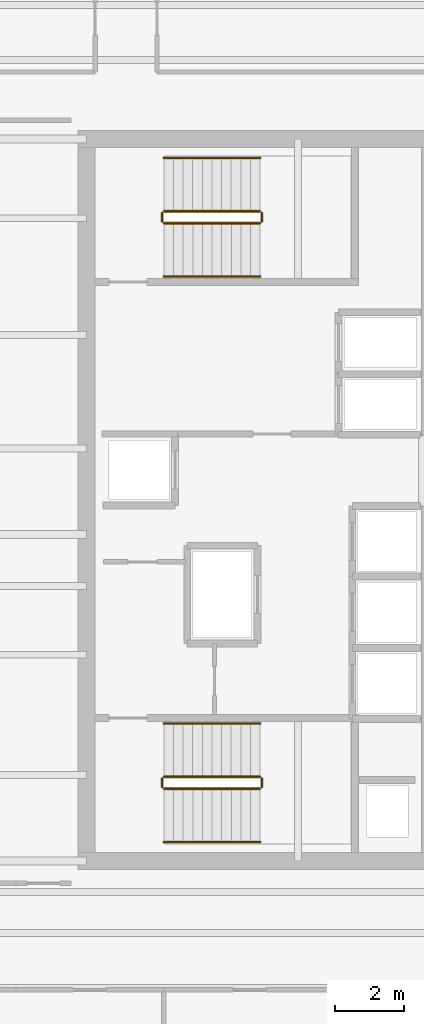
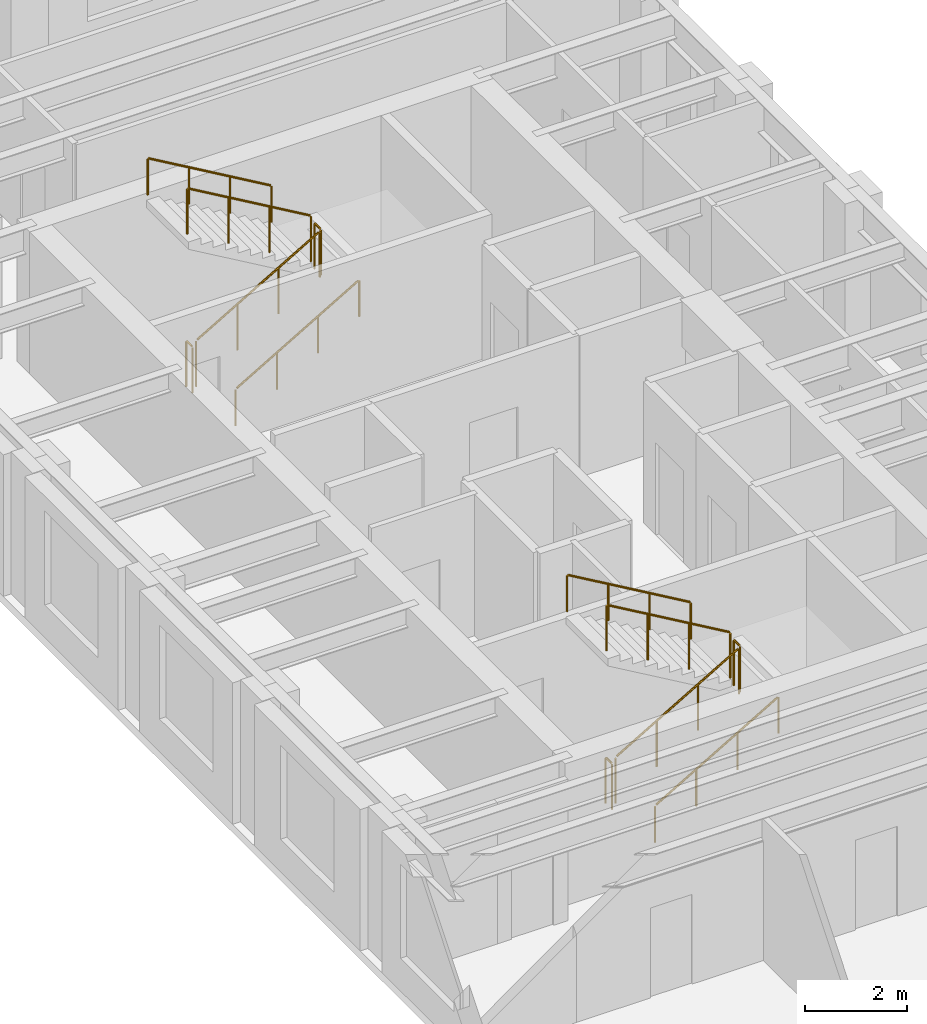
# One storey, part 10 of 10: 12 railings.
"""IFC4 building model written with IfcOpenShell, lengths in metres."""

from ifc_helpers import new_model, si_unit, direction, frame, origin, origin_2d, place, context, subcontext, project, spatial, circle, extrude, source, transform, mapped, material, layer, layer_set, type_object, element, save


model = new_model("IFC4")

# Units and contexts
model_context = context("Model", 3, precision=1e-05, world=origin(), true_north=direction((0.0, 1.0)))
body_context = subcontext(model_context, "Body", "Model", "MODEL_VIEW")
ifc_project = project(units=[si_unit("LENGTHUNIT", "METRE"), si_unit("AREAUNIT", "SQUARE_METRE"), si_unit("VOLUMEUNIT", "CUBIC_METRE"), si_unit("PLANEANGLEUNIT", "RADIAN"), si_unit("MASSUNIT", "GRAM", prefix="KILO")], contexts=[model_context])

# Site, building, storey
site_placement = place(None, origin())
site = spatial("IfcSite", under=ifc_project, at=site_placement, CompositionType="ELEMENT")
building_placement = place(site_placement, origin())
building = spatial("IfcBuilding", under=site, at=building_placement, Name="Kharzan Plaza Tower", CompositionType="ELEMENT")
storey_placement = place(building_placement, frame((0.0, 0.0, 270.0)))
storey = spatial("IfcBuildingStorey", under=building, at=storey_placement, Name="L73", CompositionType="ELEMENT", Elevation=270.0)

# Railings
ifc_material_1 = material(Name="Painted Galvanized Architectural Steel", Category="steel")
ifc_layer_1 = layer(ifc_material_1, 0.074951171875)
ifc_layer_set_1 = layer_set([ifc_layer_1], Name="Painted Galvanized Architectural Steel")
railing_type_1 = type_object("IfcRailingType", Name="RL-GUARD-1120", PredefinedType="BALUSTRADE", material=ifc_layer_set_1)
shared_shape_1 = source(origin(), body_context, "Body", "SweptSolid", [
    extrude(circle(Radius=0.02392578125, at=origin_2d()), frame((0.0, 0.0263671875, 1.09619140625), z_axis=(0.0, 1.0, 0.0), x_axis=(-1.0, 0.0, 0.0)), (0.0, 0.0, 1.0), 0.197021484375),
    extrude(circle(Radius=0.02099609375, at=origin_2d()), origin(), (0.0, 0.0, 1.0), 1.072021484375),
    extrude(circle(Radius=0.02099609375, at=origin_2d()), frame((0.0, 0.25, 0.0)), (0.0, 0.0, 1.0), 1.072021484375),
])
for number, where, name in (
    (1, (9.60009765625, 10.64990234375, 1.800048828125), "L73 ST-1 stair guard 2"),
    (2, (6.699951171875, 10.64990234375, 0.0), "L73 ST-1 stair guard 4"),
    (3, (9.60009765625, 27.10009765625, 1.800048828125), "L73 ST-2 stair guard 2"),
    (4, (6.699951171875, 27.10009765625, 0.0), "L73 ST-2 stair guard 4"),
):
    element("IfcRailing", number, at=place(storey_placement, frame(where)), inside=storey, type_object=railing_type_1, Name=name, PredefinedType="BALUSTRADE", context=body_context, shape_type="MappedRepresentation", body=[
        mapped(shared_shape_1, transform((0.0, 0.0, 0.0), x_axis=(1.0, 0.0, 0.0), y_axis=(0.0, 1.0, 0.0), z_axis=(0.0, 0.0, 1.0))),
    ])
shared_shape_2 = source(origin(), body_context, "Body", "SweptSolid", [
    extrude(circle(Radius=0.02392578125, at=origin_2d()), frame((0.02294921875, 0.0, 1.109375), z_axis=(0.863360870873, 0.0, 0.504586966384), x_axis=(0.0, 1.0, 0.0)), (0.0, 0.0, 1.0), 3.190185546875),
    extrude(circle(Radius=0.02099609375, at=origin_2d()), origin(), (0.0, 0.0, 1.0), 1.072021484375),
    extrude(circle(Radius=0.02099609375, at=origin_2d()), frame((0.933349609375, 0.0, 0.54541015625)), (0.0, 0.0, 1.0), 1.072021484375),
    extrude(circle(Radius=0.02099609375, at=origin_2d()), frame((1.86669921875, 0.0, 1.091064453125)), (0.0, 0.0, 1.0), 1.072021484375),
    extrude(circle(Radius=0.02099609375, at=origin_2d()), frame((2.800048828125, 0.0, 1.636474609375)), (0.0, 0.0, 1.0), 1.072021484375),
])
for number, where, name in (
    (5, (6.75, 10.60009765625, 0.16357421875), "L73 ST-1 stair guard 1"),
    (6, (6.75, 27.050048828125, 0.16357421875), "L73 ST-2 stair guard 1"),
):
    element("IfcRailing", number, at=place(storey_placement, frame(where)), inside=storey, type_object=railing_type_1, Name=name, PredefinedType="BALUSTRADE", context=body_context, shape_type="MappedRepresentation", body=[
        mapped(shared_shape_2, transform((0.0, 0.0, 0.0), x_axis=(1.0, 0.0, 0.0), y_axis=(0.0, 1.0, 0.0), z_axis=(0.0, 0.0, 1.0))),
    ])
shared_shape_3 = source(origin(), body_context, "Body", "SweptSolid", [
    extrude(circle(Radius=0.02392578125, at=origin_2d()), frame((-0.02294921875, 0.0, 1.109375), z_axis=(-0.863360870873, 0.0, 0.504586966384), x_axis=(0.0, -1.0, 0.0)), (0.0, 0.0, 1.0), 3.190185546875),
    extrude(circle(Radius=0.02099609375, at=origin_2d()), origin(), (0.0, 0.0, 1.0), 1.072021484375),
    extrude(circle(Radius=0.02099609375, at=origin_2d()), frame((-0.933349609375, 0.0, 0.54541015625)), (0.0, 0.0, 1.0), 1.072021484375),
    extrude(circle(Radius=0.02099609375, at=origin_2d()), frame((-1.86669921875, 0.0, 1.091064453125)), (0.0, 0.0, 1.0), 1.072021484375),
    extrude(circle(Radius=0.02099609375, at=origin_2d()), frame((-2.800048828125, 0.0, 1.636474609375)), (0.0, 0.0, 1.0), 1.072021484375),
])
for number, where, name in (
    (7, (9.550048828125, 10.949951171875, 1.963623046875), "L73 ST-1 stair guard 3"),
    (8, (9.550048828125, 27.39990234375, 1.963623046875), "L73 ST-2 stair guard 3"),
):
    element("IfcRailing", number, at=place(storey_placement, frame(where)), inside=storey, type_object=railing_type_1, Name=name, PredefinedType="BALUSTRADE", context=body_context, shape_type="MappedRepresentation", body=[
        mapped(shared_shape_3, transform((0.0, 0.0, 0.0), x_axis=(1.0, 0.0, 0.0), y_axis=(0.0, 1.0, 0.0), z_axis=(0.0, 0.0, 1.0))),
    ])
ifc_material_2 = material(Name="Brushed Stainless Steel", Category="steel")
ifc_layer_2 = layer(ifc_material_2, 0.050048828125)
ifc_layer_set_2 = layer_set([ifc_layer_2], Name="Brushed Stainless Steel")
railing_type_2 = type_object("IfcRailingType", Name="RL-STAIR-HR920", PredefinedType="HANDRAIL", material=ifc_layer_set_2)
shared_shape_4 = source(origin(), body_context, "Body", "SweptSolid", [
    extrude(circle(Radius=0.02392578125, at=origin_2d()), frame((0.02294921875, 0.0, 0.88916015625), z_axis=(0.863360870873, 0.0, 0.504586966384), x_axis=(0.0, 1.0, 0.0)), (0.0, 0.0, 1.0), 3.190185546875),
    extrude(circle(Radius=0.02099609375, at=origin_2d()), origin(), (0.0, 0.0, 1.0), 0.851806640625),
    extrude(circle(Radius=0.02099609375, at=origin_2d()), frame((0.933349609375, 0.0, 0.54541015625)), (0.0, 0.0, 1.0), 0.851806640625),
    extrude(circle(Radius=0.02099609375, at=origin_2d()), frame((1.86669921875, 0.0, 1.091064453125)), (0.0, 0.0, 1.0), 0.851806640625),
    extrude(circle(Radius=0.02099609375, at=origin_2d()), frame((2.800048828125, 0.0, 1.636474609375)), (0.0, 0.0, 1.0), 0.851806640625),
])
for number, where, name in (
    (9, (6.75, 9.050048828125, 0.16357421875), "L73 ST-1 stair handrail 1"),
    (10, (6.75, 25.5, 0.16357421875), "L73 ST-2 stair handrail 1"),
):
    element("IfcRailing", number, at=place(storey_placement, frame(where)), inside=storey, type_object=railing_type_2, Name=name, PredefinedType="HANDRAIL", context=body_context, shape_type="MappedRepresentation", body=[
        mapped(shared_shape_4, transform((0.0, 0.0, 0.0), x_axis=(1.0, 0.0, 0.0), y_axis=(0.0, 1.0, 0.0), z_axis=(0.0, 0.0, 1.0))),
    ])
shared_shape_5 = source(origin(), body_context, "Body", "SweptSolid", [
    extrude(circle(Radius=0.02392578125, at=origin_2d()), frame((-0.02294921875, 0.0, 0.88916015625), z_axis=(-0.863360870873, 0.0, 0.504586966384), x_axis=(0.0, -1.0, 0.0)), (0.0, 0.0, 1.0), 3.190185546875),
    extrude(circle(Radius=0.02099609375, at=origin_2d()), origin(), (0.0, 0.0, 1.0), 0.851806640625),
    extrude(circle(Radius=0.02099609375, at=origin_2d()), frame((-0.933349609375, 0.0, 0.54541015625)), (0.0, 0.0, 1.0), 0.851806640625),
    extrude(circle(Radius=0.02099609375, at=origin_2d()), frame((-1.86669921875, 0.0, 1.091064453125)), (0.0, 0.0, 1.0), 0.851806640625),
    extrude(circle(Radius=0.02099609375, at=origin_2d()), frame((-2.800048828125, 0.0, 1.636474609375)), (0.0, 0.0, 1.0), 0.851806640625),
])
for number, where, name in (
    (11, (9.550048828125, 12.5, 1.963623046875), "L73 ST-1 stair handrail 2"),
    (12, (9.550048828125, 28.949951171875, 1.963623046875), "L73 ST-2 stair handrail 2"),
):
    element("IfcRailing", number, at=place(storey_placement, frame(where)), inside=storey, type_object=railing_type_2, Name=name, PredefinedType="HANDRAIL", context=body_context, shape_type="MappedRepresentation", body=[
        mapped(shared_shape_5, transform((0.0, 0.0, 0.0), x_axis=(1.0, 0.0, 0.0), y_axis=(0.0, 1.0, 0.0), z_axis=(0.0, 0.0, 1.0))),
    ])

save(model, "model.ifc")
